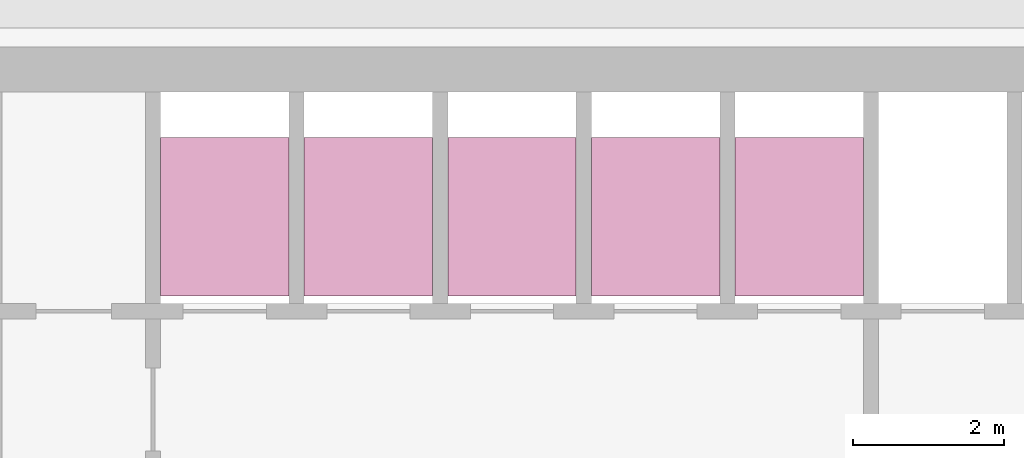
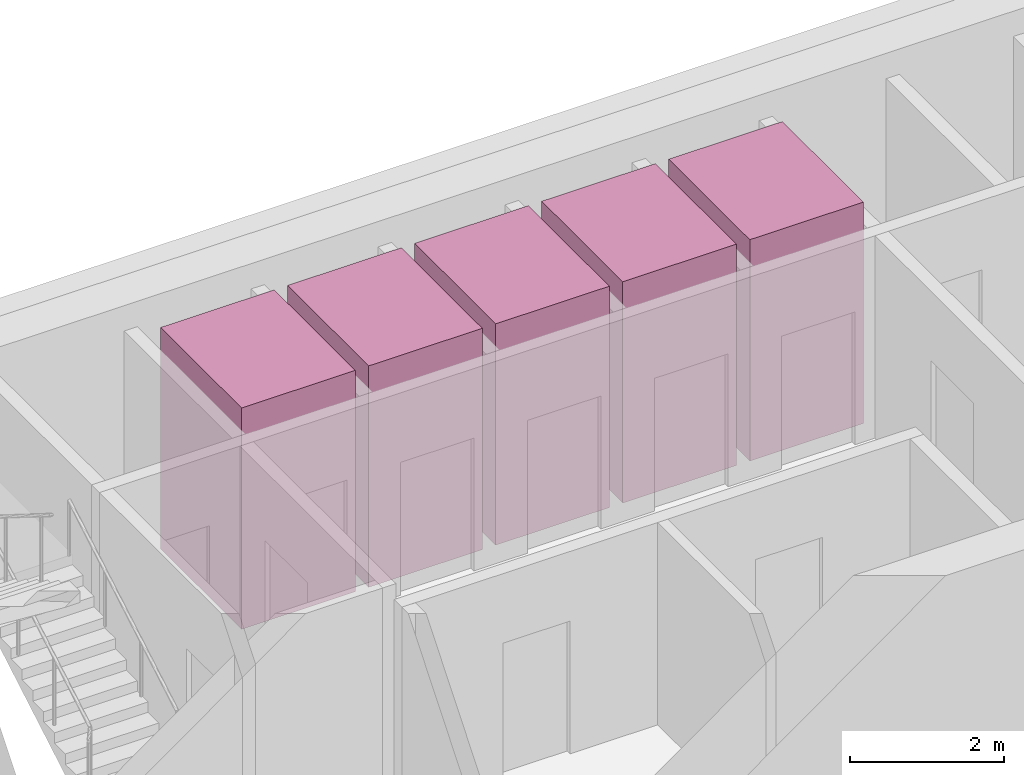
# One storey, part 12 of 12: 5 transport elements.
"""IFC4 building model written with IfcOpenShell, lengths in metres."""

from ifc_helpers import new_model, si_unit, direction, frame, origin, origin_2d, place, context, subcontext, project, spatial, rectangle, extrude, material, type_object, element, save


model = new_model("IFC4")

# Units and contexts
model_context = context("Model", 3, precision=1e-05, world=origin(), true_north=direction((0.0, 1.0)))
body_context = subcontext(model_context, "Body", "Model", "MODEL_VIEW")
ifc_project = project(units=[si_unit("LENGTHUNIT", "METRE"), si_unit("AREAUNIT", "SQUARE_METRE"), si_unit("VOLUMEUNIT", "CUBIC_METRE"), si_unit("PLANEANGLEUNIT", "RADIAN"), si_unit("MASSUNIT", "GRAM", prefix="KILO")], contexts=[model_context])

# Site, building, storey
site_placement = place(None, origin())
site = spatial("IfcSite", under=ifc_project, at=site_placement, CompositionType="ELEMENT")
building_placement = place(site_placement, origin())
building = spatial("IfcBuilding", under=site, at=building_placement, Name="Altiplano Prism Tower", CompositionType="ELEMENT")
storey_placement = place(building_placement, frame((0.0, 0.0, 257.199951171875)))
storey = spatial("IfcBuildingStorey", under=building, at=storey_placement, Name="L66", CompositionType="ELEMENT", Elevation=257.199951171875)

# Transport elements
ifc_material = material(Name="Stainless steel lift car", Category="steel")
transport_element_type = type_object("IfcTransportElementType", Name="Passenger lift car 1600 x 2100", PredefinedType="ELEVATOR", material=ifc_material)
for number, where, z_axis, x_axis, name in (
    (1, (79.050048828125, 101.75, 0.050048828125), (0.0, 0.0, 1.0), (1.0, 0.0, 0.0), "High Zone Passenger Lift 1"),
    (2, (80.949951171875, 101.75, 0.050048828125), (0.0, 0.0, 1.0), (1.0, 0.0, 0.0), "High Zone Passenger Lift 2"),
    (3, (82.85009765625, 101.75, 0.050048828125), (0.0, 0.0, 1.0), (1.0, 0.0, 0.0), "High Zone Passenger Lift 3"),
    (4, (84.75, 101.75, 0.050048828125), (0.0, 0.0, 1.0), (1.0, 0.0, 0.0), "High Zone Passenger Lift 4"),
    (5, (86.64990234375, 101.75, 0.050048828125), (0.0, 0.0, 1.0), (1.0, 0.0, 0.0), "High Zone Passenger Lift 5"),
):
    element("IfcTransportElement", number, at=place(storey_placement, frame(where, z_axis=z_axis, x_axis=x_axis)), inside=storey, type_object=transport_element_type, Name=name, PredefinedType="ELEVATOR", context=body_context, shape_type="SweptSolid", body=[
        extrude(rectangle(XDim=1.699951171875, YDim=2.10009765625, at=origin_2d()), origin(), (0.0, 0.0, 1.0), 3.5),
    ])

save(model, "model.ifc")
